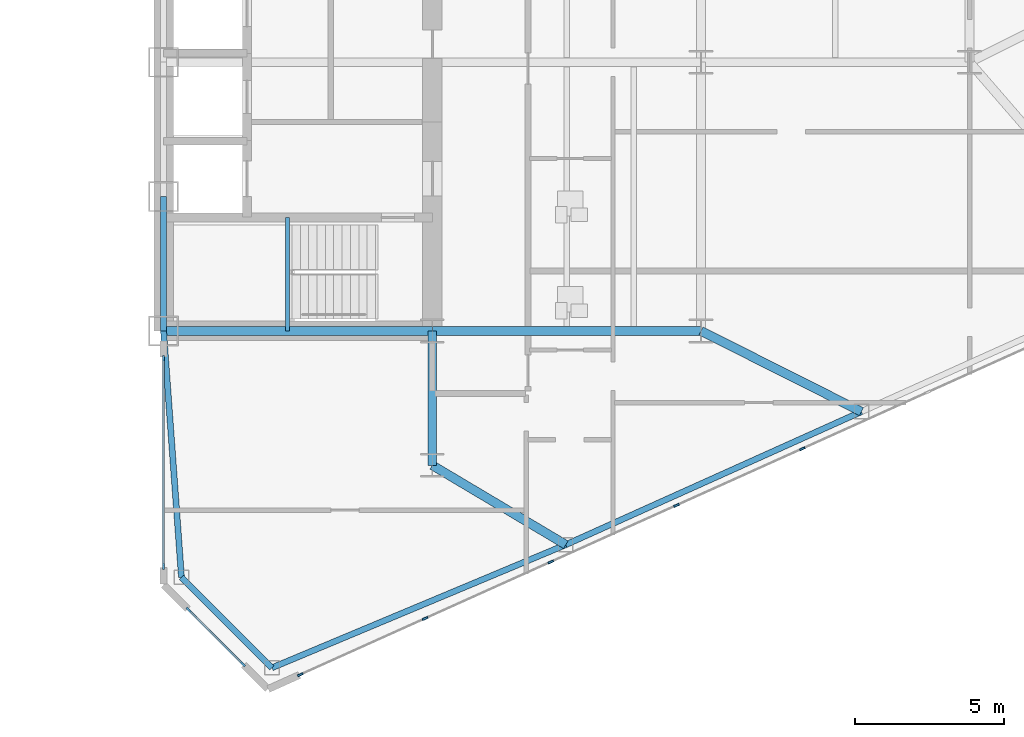
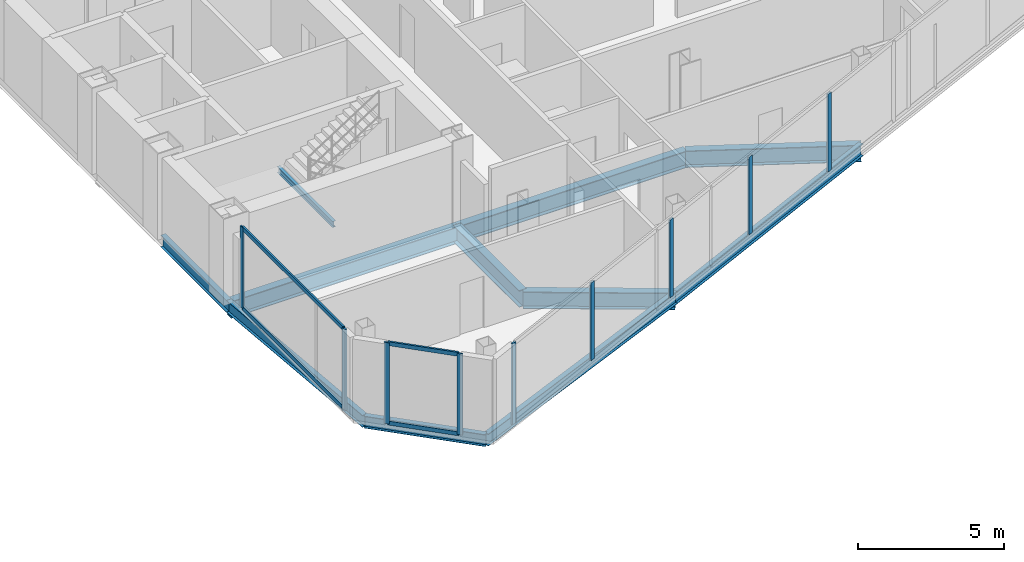
# One storey, part 10 of 27: 13 members, 11 beams, 3 elements without a shape of their own.
"""IFC4 building model written with IfcOpenShell, lengths in metres."""

from ifc_helpers import new_model, si_unit, direction, frame, origin, origin_2d, place, context, subcontext, project, spatial, rectangle, i_section, extrude, source, transform, mapped, material, layer, layer_set, material_profile, profile_set, type_object, type_shapes, element, aggregate, save


model = new_model("IFC4")

# Units and contexts
model_context = context("Model", 3, precision=1e-05, world=origin(), true_north=direction((0.0, 1.0)))
body_context = subcontext(model_context, "Body", "Model", "MODEL_VIEW")
ifc_project = project(units=[si_unit("LENGTHUNIT", "METRE"), si_unit("AREAUNIT", "SQUARE_METRE"), si_unit("VOLUMEUNIT", "CUBIC_METRE"), si_unit("PLANEANGLEUNIT", "RADIAN"), si_unit("MASSUNIT", "GRAM", prefix="KILO")], contexts=[model_context])

# Site, building, storey
site_placement = place(None, origin())
site = spatial("IfcSite", under=ifc_project, at=site_placement, CompositionType="ELEMENT")
building_placement = place(site_placement, origin())
building = spatial("IfcBuilding", under=site, at=building_placement, Name="Seokmaru Belvedere", CompositionType="ELEMENT")
storey_placement = place(building_placement, frame((0.0, 0.0, 65.699951171875)))
storey = spatial("IfcBuildingStorey", under=building, at=storey_placement, Name="L17", CompositionType="ELEMENT", Elevation=65.699951171875)

# Beams
ifc_material_1 = material(Name="Steel SM355 (355 MPa)", Category="steel")
ifc_material_profile_1 = material_profile(ifc_material_1, i_section(OverallWidth=0.199951171875, OverallDepth=0.5, WebThickness=0.010009765625, FlangeThickness=0.01611328125, at=origin_2d()), Name="H-500x200x10x16")
ifc_profile_set_1 = profile_set([ifc_material_profile_1], Name="Steel SM355 (355 MPa)")
beam_type_1 = type_object("IfcBeamType", Name="Perimeter Spandrel Beam H-500", PredefinedType="SPANDREL", material=ifc_profile_set_1)
shared_shape_1 = source(origin(), body_context, "Body", "SweptSolid", [
    extrude(i_section(OverallWidth=0.199951171875, OverallDepth=0.5, WebThickness=0.010009765625, FlangeThickness=0.01611328125, at=origin_2d()), origin(), (0.0, 0.0, 1.0), 4.5),
])
beam_1_placement = place(storey_placement, frame((27.5, -13.5, -0.469970703125), z_axis=(0.0, 1.0, 0.0), x_axis=(-1.0, 0.0, 0.0)))
element("IfcBeam", 1, at=beam_1_placement, inside=storey, type_object=beam_type_1, Name="L17 E Portal Spine Spandrel 1", PredefinedType="SPANDREL", context=body_context, shape_type="MappedRepresentation", body=[
    mapped(shared_shape_1, transform((0.0, 0.0, 0.0), scale=1.0)),
])
ifc_material_profile_2 = material_profile(ifc_material_1, i_section(OverallWidth=0.300048828125, OverallDepth=0.699951171875, WebThickness=0.012939453125, FlangeThickness=0.02392578125, at=origin_2d()), Name="H-700x300x13x24")
ifc_profile_set_2 = profile_set([ifc_material_profile_2], Name="Steel SM355 (355 MPa)")
beam_type_2 = type_object("IfcBeamType", Name="Primary Floor Girder H-700", PredefinedType="BEAM", material=ifc_profile_set_2)
shared_shape_2 = source(origin(), body_context, "Body", "SweptSolid", [
    extrude(i_section(OverallWidth=0.300048828125, OverallDepth=0.699951171875, WebThickness=0.012939453125, FlangeThickness=0.02392578125, at=origin_2d()), origin(), (0.0, 0.0, 1.0), 4.5),
])
beam_2_placement = place(storey_placement, frame((36.5, -18.0, -0.570068359375), z_axis=(0.0, 1.0, 0.0), x_axis=(-1.0, 0.0, 0.0)))
element("IfcBeam", 2, at=beam_2_placement, inside=storey, type_object=beam_type_2, Name="L17 E Core Shoulder Girder S", PredefinedType="BEAM", context=body_context, shape_type="MappedRepresentation", body=[
    mapped(shared_shape_2, transform((0.0, 0.0, 0.0), scale=1.0)),
])
shared_shape_3 = source(origin(), body_context, "Body", "SweptSolid", [
    extrude(i_section(OverallWidth=0.300048828125, OverallDepth=0.699951171875, WebThickness=0.012939453125, FlangeThickness=0.02392578125, at=origin_2d()), origin(), (0.0, 0.0, 1.0), 9.0),
])
for number, where, z_axis, x_axis, name in (
    (3, (27.5, -13.5, -0.570068359375), (1.0, 0.0, 0.0), (0.0, 1.0, 0.0), "L17 E Core Tie Girder 1"),
    (4, (36.5, -13.5, -0.570068359375), (1.0, 0.0, 0.0), (0.0, 1.0, 0.0), "L17 E Wing Primary Girder 1"),
):
    element("IfcBeam", number, at=place(storey_placement, frame(where, z_axis=z_axis, x_axis=x_axis)), inside=storey, type_object=beam_type_2, Name=name, PredefinedType="BEAM", context=body_context, shape_type="MappedRepresentation", body=[
        mapped(shared_shape_3, transform((0.0, 0.0, 0.0), scale=1.0)),
    ])
shared_shape_4 = source(origin(), body_context, "Body", "SweptSolid", [
    extrude(i_section(OverallWidth=0.199951171875, OverallDepth=0.5, WebThickness=0.010009765625, FlangeThickness=0.01611328125, at=origin_2d()), origin(), (0.0, 0.0, 1.0), 10.66943359375),
])
beam_3_placement = place(storey_placement, frame((31.13134765625, -24.782958984375, -0.469970703125), z_axis=(0.922375393128, 0.386294750355, 0.0), x_axis=(-0.386294750355, 0.922375393128, 0.0)))
element("IfcBeam", 5, at=beam_3_placement, inside=storey, type_object=beam_type_1, Name="L17 E Faceted Flank Spandrel S-1", PredefinedType="SPANDREL", context=body_context, shape_type="MappedRepresentation", body=[
    mapped(shared_shape_4, transform((0.0, 0.0, 0.0), scale=1.0)),
])
shared_shape_5 = source(origin(), body_context, "Body", "SweptSolid", [
    extrude(i_section(OverallWidth=0.199951171875, OverallDepth=0.5, WebThickness=0.010009765625, FlangeThickness=0.01611328125, at=origin_2d()), origin(), (0.0, 0.0, 1.0), 10.85888671875),
])
beam_4_placement = place(storey_placement, frame((40.97265625, -20.661376953125, -0.469970703125), z_axis=(0.911921505175, 0.410364677329, 0.0), x_axis=(-0.410364677329, 0.911921505175, 0.0)))
element("IfcBeam", 6, at=beam_4_placement, inside=storey, type_object=beam_type_1, Name="L17 E Faceted Flank Spandrel S-2", PredefinedType="SPANDREL", context=body_context, shape_type="MappedRepresentation", body=[
    mapped(shared_shape_5, transform((0.0, 0.0, 0.0), scale=1.0)),
])
shared_shape_6 = source(origin(), body_context, "Body", "SweptSolid", [
    extrude(i_section(OverallWidth=0.199951171875, OverallDepth=0.5, WebThickness=0.010009765625, FlangeThickness=0.01611328125, at=origin_2d()), origin(), (0.0, 0.0, 1.0), 4.287109375),
])
beam_5_placement = place(storey_placement, frame((31.13134765625, -24.782958984375, -0.469970703125), z_axis=(-0.707078306132, 0.707135255094, 0.0), x_axis=(-0.707135255094, -0.707078306132, 0.0)))
element("IfcBeam", 7, at=beam_5_placement, inside=storey, type_object=beam_type_1, Name="L17 E Shoulder Chamfer Spandrel S", PredefinedType="SPANDREL", context=body_context, shape_type="MappedRepresentation", body=[
    mapped(shared_shape_6, transform((0.0, 0.0, 0.0), scale=1.0)),
])
shared_shape_7 = source(origin(), body_context, "Body", "SweptSolid", [
    extrude(i_section(OverallWidth=0.199951171875, OverallDepth=0.5, WebThickness=0.010009765625, FlangeThickness=0.01611328125, at=origin_2d()), origin(), (0.0, 0.0, 1.0), 8.273193359375),
])
type_shapes(beam_type_1, [shared_shape_1, shared_shape_4, shared_shape_5, shared_shape_6, shared_shape_7])
beam_6_placement = place(storey_placement, frame((28.10009765625, -21.75146484375, -0.469970703125), z_axis=(-0.072534628348, 0.99736589459, 0.0), x_axis=(-0.99736589459, -0.072534628348, 0.0)))
element("IfcBeam", 8, at=beam_6_placement, inside=storey, type_object=beam_type_1, Name="L17 E Shoulder Spine Spandrel S", PredefinedType="SPANDREL", context=body_context, shape_type="MappedRepresentation", body=[
    mapped(shared_shape_7, transform((0.0, 0.0, 0.0), scale=1.0)),
])
shared_shape_8 = source(origin(), body_context, "Body", "SweptSolid", [
    extrude(i_section(OverallWidth=0.300048828125, OverallDepth=0.699951171875, WebThickness=0.012939453125, FlangeThickness=0.02392578125, at=origin_2d()), origin(), (0.0, 0.0, 1.0), 5.20458984375),
])
beam_7_placement = place(storey_placement, frame((40.97265625, -20.661376953125, -0.570068359375), z_axis=(-0.859370434188, 0.511353553662, 0.0), x_axis=(-0.511353553662, -0.859370434188, 0.0)))
element("IfcBeam", 9, at=beam_7_placement, inside=storey, type_object=beam_type_2, Name="L17 E Flank Radial Floor Girder S-1", PredefinedType="BEAM", context=body_context, shape_type="MappedRepresentation", body=[
    mapped(shared_shape_8, transform((0.0, 0.0, 0.0), scale=1.0)),
])
shared_shape_9 = source(origin(), body_context, "Body", "SweptSolid", [
    extrude(i_section(OverallWidth=0.300048828125, OverallDepth=0.699951171875, WebThickness=0.012939453125, FlangeThickness=0.02392578125, at=origin_2d()), origin(), (0.0, 0.0, 1.0), 6.017333984375),
])
type_shapes(beam_type_2, [shared_shape_2, shared_shape_3, shared_shape_8, shared_shape_9])
beam_8_placement = place(storey_placement, frame((50.875, -16.205322265625, -0.570068359375), z_axis=(-0.893239341975, 0.449581447512, 0.0), x_axis=(-0.449581447512, -0.893239341975, 0.0)))
element("IfcBeam", 10, at=beam_8_placement, inside=storey, type_object=beam_type_2, Name="L17 E Flank Radial Floor Girder S-2", PredefinedType="BEAM", context=body_context, shape_type="MappedRepresentation", body=[
    mapped(shared_shape_9, transform((0.0, 0.0, 0.0), scale=1.0)),
])

# Curtain wall, members
ifc_material_2 = material(Name="Bronze Triple Insulating Glass", Category="glass")
ifc_layer = layer(ifc_material_2, 0.195068359375)
ifc_layer_set = layer_set([ifc_layer], Name="Bronze Triple Insulating Glass")
curtain_wall_type = type_object("IfcCurtainWallType", Name="Lower-Mid Tapered Curtain Wall System CW-3", PredefinedType="NOTDEFINED", material=ifc_layer_set)
curtain_wall_1_placement = place(storey_placement, origin())
curtain_wall_1 = element("IfcCurtainWall", 11, at=curtain_wall_1_placement, inside=storey, type_object=curtain_wall_type, Name="L17 Curtain Wall ESP_1", PredefinedType="NOTDEFINED")
ifc_material_3 = material(Name="Anodised Bronze Aluminium", Category="aluminium")
ifc_material_profile_3 = material_profile(ifc_material_3, rectangle(XDim=0.070068359375, YDim=0.1650390625, at=origin_2d()), Name="CW-T-70x165")
ifc_profile_set_3 = profile_set([ifc_material_profile_3], Name="Anodised Bronze Aluminium")
member_type_1 = type_object("IfcMemberType", Name="Bronze Unitised Transom 70x165", PredefinedType="USERDEFINED", material=ifc_profile_set_3)
shared_shape_10 = source(origin(), body_context, "Body", "SweptSolid", [
    extrude(rectangle(XDim=0.070068359375, YDim=0.1650390625, at=origin_2d()), origin(), (0.0, 0.0, 1.0), 6.91015625),
])
member_1_placement = place(storey_placement, frame((27.5, -14.449951171875, 0.03515625), z_axis=(0.0, -1.0, 0.0), x_axis=(1.0, 0.0, 0.0)))
member_1 = element("IfcMember", 12, at=member_1_placement, type_object=member_type_1, Name="CW:L17:ESP_1 Continuous Transom 1", ObjectType="TRANSOM", PredefinedType="USERDEFINED", context=body_context, shape_type="MappedRepresentation", body=[
    mapped(shared_shape_10, transform((0.0, 0.0, 0.0), scale=1.0)),
])
member_2_placement = place(storey_placement, frame((27.5, -14.449951171875, 3.344970703125), z_axis=(0.0, -1.0, 0.0), x_axis=(1.0, 0.0, 0.0)))
member_2 = element("IfcMember", 13, at=member_2_placement, type_object=member_type_1, Name="CW:L17:ESP_1 Continuous Transom 2", ObjectType="TRANSOM", PredefinedType="USERDEFINED", context=body_context, shape_type="MappedRepresentation", body=[
    mapped(shared_shape_10, transform((0.0, 0.0, 0.0), scale=1.0)),
])

curtain_wall_2_placement = place(storey_placement, origin())
curtain_wall_2 = element("IfcCurtainWall", 14, at=curtain_wall_2_placement, inside=storey, type_object=curtain_wall_type, Name="L17 Curtain Wall EF6", PredefinedType="NOTDEFINED")
shared_shape_11 = source(origin(), body_context, "Body", "SweptSolid", [
    extrude(rectangle(XDim=0.070068359375, YDim=0.1650390625, at=origin_2d()), origin(), (0.0, 0.0, 1.0), 2.509521484375),
])
type_shapes(member_type_1, [shared_shape_10, shared_shape_11])
member_3_placement = place(storey_placement, frame((28.36279296875, -22.86279296875, 0.03515625), z_axis=(0.707106781187, -0.707106781187, 0.0), x_axis=(0.707106781187, 0.707106781187, 0.0)))
member_3 = element("IfcMember", 15, at=member_3_placement, type_object=member_type_1, Name="CW:L17:EF6 Continuous Transom 1", ObjectType="TRANSOM", PredefinedType="USERDEFINED", context=body_context, shape_type="MappedRepresentation", body=[
    mapped(shared_shape_11, transform((0.0, 0.0, 0.0), scale=1.0)),
])
member_4_placement = place(storey_placement, frame((28.36279296875, -22.86279296875, 3.344970703125), z_axis=(0.707106781187, -0.707106781187, 0.0), x_axis=(0.707106781187, 0.707106781187, 0.0)))
member_4 = element("IfcMember", 16, at=member_4_placement, type_object=member_type_1, Name="CW:L17:EF6 Continuous Transom 2", ObjectType="TRANSOM", PredefinedType="USERDEFINED", context=body_context, shape_type="MappedRepresentation", body=[
    mapped(shared_shape_11, transform((0.0, 0.0, 0.0), scale=1.0)),
])

curtain_wall_3_placement = place(storey_placement, origin())
curtain_wall_3 = element("IfcCurtainWall", 17, at=curtain_wall_3_placement, inside=storey, type_object=curtain_wall_type, Name="L17 Curtain Wall EF1", PredefinedType="NOTDEFINED")
ifc_material_profile_4 = material_profile(ifc_material_3, rectangle(XDim=0.070068359375, YDim=0.195068359375, at=origin_2d()), Name="CW-M-70x195")
ifc_profile_set_4 = profile_set([ifc_material_profile_4], Name="Anodised Bronze Aluminium")
member_type_2 = type_object("IfcMemberType", Name="Bronze Unitised Mullion 70x195", PredefinedType="MULLION", material=ifc_profile_set_4)
shared_shape_12 = source(origin(), body_context, "Body", "SweptSolid", [
    extrude(rectangle(XDim=0.070068359375, YDim=0.195068359375, at=origin_2d()), origin(), (0.0, 0.0, 1.0), 3.239990234375),
])
member_5_placement = place(storey_placement, frame((36.260009765625, -23.133056640625, 0.070068359375), z_axis=(0.0, 0.0, 1.0), x_axis=(-0.41036554765, 0.91192111353, 0.0)))
member_5 = element("IfcMember", 18, at=member_5_placement, type_object=member_type_2, Name="CW:L17:EF1 Mullion 2", PredefinedType="MULLION", context=body_context, shape_type="MappedRepresentation", body=[
    mapped(shared_shape_12, transform((0.0, 0.0, 0.0), scale=1.0)),
])
member_6_placement = place(storey_placement, frame((40.471435546875, -21.23779296875, 0.070068359375), z_axis=(0.0, 0.0, 1.0), x_axis=(-0.41036554765, 0.91192111353, 0.0)))
member_6 = element("IfcMember", 19, at=member_6_placement, type_object=member_type_2, Name="CW:L17:EF1 Mullion 3", PredefinedType="MULLION", context=body_context, shape_type="MappedRepresentation", body=[
    mapped(shared_shape_12, transform((0.0, 0.0, 0.0), scale=1.0)),
])
member_7_placement = place(storey_placement, frame((44.682861328125, -19.3427734375, 0.070068359375), z_axis=(0.0, 0.0, 1.0), x_axis=(-0.41036554765, 0.91192111353, 0.0)))
member_7 = element("IfcMember", 20, at=member_7_placement, type_object=member_type_2, Name="CW:L17:EF1 Mullion 4", PredefinedType="MULLION", context=body_context, shape_type="MappedRepresentation", body=[
    mapped(shared_shape_12, transform((0.0, 0.0, 0.0), scale=1.0)),
])
member_8_placement = place(storey_placement, frame((48.894287109375, -17.447509765625, 0.070068359375), z_axis=(0.0, 0.0, 1.0), x_axis=(-0.41036554765, 0.91192111353, 0.0)))
member_8 = element("IfcMember", 21, at=member_8_placement, type_object=member_type_2, Name="CW:L17:EF1 Mullion 5", PredefinedType="MULLION", context=body_context, shape_type="MappedRepresentation", body=[
    mapped(shared_shape_12, transform((0.0, 0.0, 0.0), scale=1.0)),
])
shared_shape_13 = source(origin(), body_context, "Body", "SweptSolid", [
    extrude(rectangle(XDim=0.070068359375, YDim=0.195068359375, at=origin_2d()), origin(), (0.0, 0.0, 1.0), 3.380126953125),
])
type_shapes(member_type_2, [shared_shape_12, shared_shape_13])
member_9_placement = place(storey_placement, frame((32.08056640625, -25.013671875, 0.0), z_axis=(0.0, 0.0, 1.0), x_axis=(-0.41036554765, 0.91192111353, 0.0)))
member_9 = element("IfcMember", 22, at=member_9_placement, type_object=member_type_2, Name="CW:L17:EF1 Mullion 1", PredefinedType="MULLION", context=body_context, shape_type="MappedRepresentation", body=[
    mapped(shared_shape_13, transform((0.0, 0.0, 0.0), scale=1.0)),
])
aggregate(curtain_wall_3, [member_9, member_5, member_6, member_7, member_8])

# Member
member_10_placement = place(storey_placement, frame((27.5, -14.4150390625, 0.0), z_axis=(0.0, 0.0, 1.0), x_axis=(1.0, 0.0, 0.0)))
member_10 = element("IfcMember", 23, at=member_10_placement, type_object=member_type_2, Name="CW:L17:ESP_1 Mullion 1", PredefinedType="MULLION", context=body_context, shape_type="MappedRepresentation", body=[
    mapped(shared_shape_13, transform((0.0, 0.0, 0.0), scale=1.0)),
])

member_11_placement = place(storey_placement, frame((27.5, -21.39501953125, 0.0), z_axis=(0.0, 0.0, 1.0), x_axis=(1.0, 0.0, 0.0)))
member_11 = element("IfcMember", 24, at=member_11_placement, type_object=member_type_2, Name="CW:L17:ESP_1 Mullion 2", PredefinedType="MULLION", context=body_context, shape_type="MappedRepresentation", body=[
    mapped(shared_shape_13, transform((0.0, 0.0, 0.0), scale=1.0)),
])

aggregate(curtain_wall_1, [member_10, member_11, member_1, member_2])

member_12_placement = place(storey_placement, frame((28.337890625, -22.837890625, 0.0), z_axis=(0.0, 0.0, 1.0), x_axis=(0.707106781187, 0.707106781187, 0.0)))
member_12 = element("IfcMember", 25, at=member_12_placement, type_object=member_type_2, Name="CW:L17:EF6 Mullion 1", PredefinedType="MULLION", context=body_context, shape_type="MappedRepresentation", body=[
    mapped(shared_shape_13, transform((0.0, 0.0, 0.0), scale=1.0)),
])

member_13_placement = place(storey_placement, frame((30.162109375, -24.662109375, 0.0), z_axis=(0.0, 0.0, 1.0), x_axis=(0.707106781187, 0.707106781187, 0.0)))
member_13 = element("IfcMember", 26, at=member_13_placement, type_object=member_type_2, Name="CW:L17:EF6 Mullion 2", PredefinedType="MULLION", context=body_context, shape_type="MappedRepresentation", body=[
    mapped(shared_shape_13, transform((0.0, 0.0, 0.0), scale=1.0)),
])

aggregate(curtain_wall_2, [member_12, member_13, member_3, member_4])

# Beam
ifc_material_profile_5 = material_profile(ifc_material_1, i_section(OverallWidth=0.125, OverallDepth=0.25, WebThickness=0.006103515625, FlangeThickness=0.009033203125, at=origin_2d()), Name="H-250x125x6x9")
ifc_profile_set_5 = profile_set([ifc_material_profile_5], Name="Steel SM355 (355 MPa)")
beam_type_3 = type_object("IfcBeamType", Name="Stair Mid-Landing Support Beam H-250", PredefinedType="JOIST", material=ifc_profile_set_5)
shared_shape_14 = source(origin(), body_context, "Body", "SweptSolid", [
    extrude(i_section(OverallWidth=0.125, OverallDepth=0.25, WebThickness=0.006103515625, FlangeThickness=0.009033203125, at=origin_2d()), origin(), (0.0, 0.0, 1.0), 3.800048828125),
])
type_shapes(beam_type_3, [shared_shape_14])
beam_9_placement = place(storey_placement, frame((31.64990234375, -13.5, 1.47509765625), z_axis=(0.0, 1.0, 0.0), x_axis=(-1.0, 0.0, 0.0)))
element("IfcBeam", 27, at=beam_9_placement, inside=storey, type_object=beam_type_3, Name="L17 Stair ST-E1 Mid-Landing Support Beam 1", PredefinedType="JOIST", context=body_context, shape_type="MappedRepresentation", body=[
    mapped(shared_shape_14, transform((0.0, 0.0, 0.0), scale=1.0)),
])

save(model, "model.ifc")
